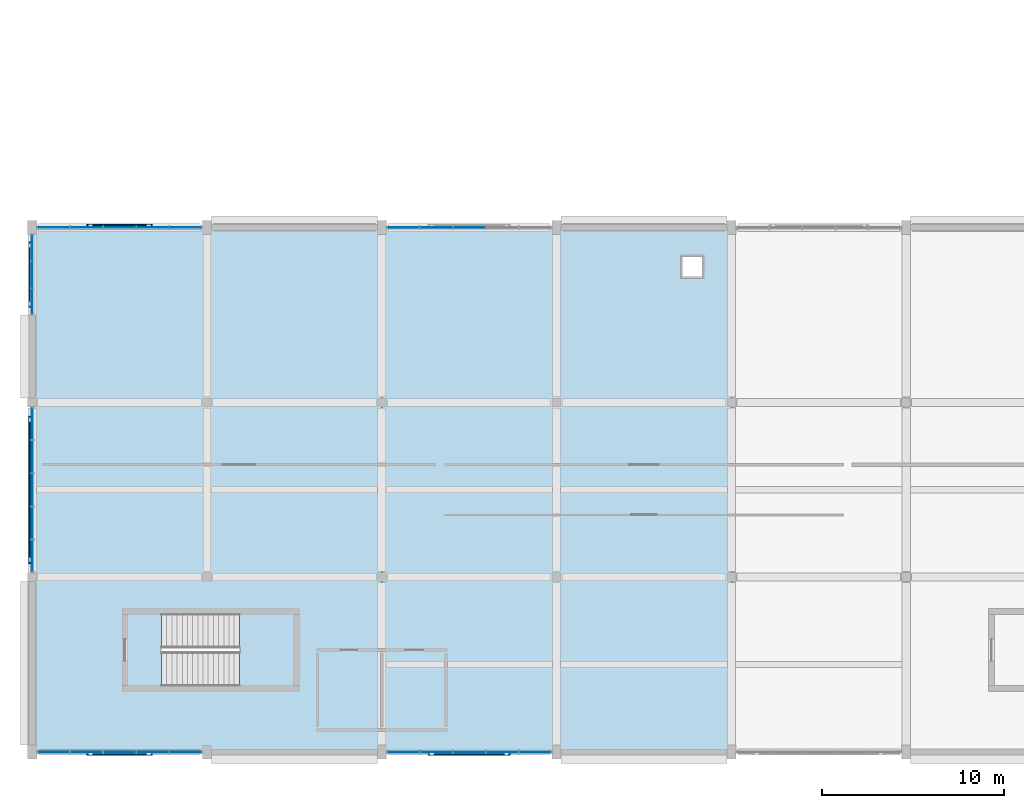
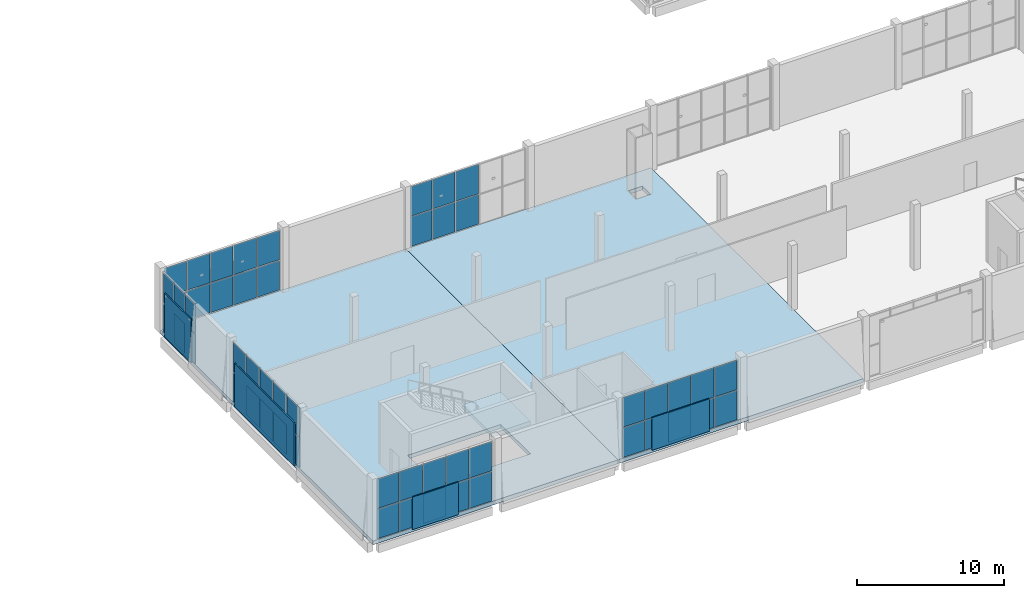
# One storey, part 42 of 83: 57 plates, 3 slabs, 7 elements without a shape of their own.
"""IFC4 building model written with IfcOpenShell, lengths in metres."""

from ifc_helpers import new_model, si_unit, direction, frame, origin, origin_2d, place, context, subcontext, project, spatial, polyline, rectangle, outline, extrude, material, layer, layer_set, type_object, element, aggregate, save


model = new_model("IFC4")

# Units and contexts
model_context = context("Model", 3, precision=1e-05, world=origin(), true_north=direction((0.0, 1.0)))
body_context = subcontext(model_context, "Body", "Model", "MODEL_VIEW")
ifc_project = project(units=[si_unit("LENGTHUNIT", "METRE"), si_unit("AREAUNIT", "SQUARE_METRE"), si_unit("VOLUMEUNIT", "CUBIC_METRE"), si_unit("PLANEANGLEUNIT", "RADIAN"), si_unit("MASSUNIT", "GRAM", prefix="KILO")], contexts=[model_context])

# Site, building, storey
site_placement = place(None, origin())
site = spatial("IfcSite", under=ifc_project, at=site_placement, CompositionType="ELEMENT")
building_placement = place(site_placement, origin())
building = spatial("IfcBuilding", under=site, at=building_placement, Name="Shalvenor Court Art Gallery", CompositionType="ELEMENT")
storey_placement = place(building_placement, frame((0.0, 0.0, 6.0)))
storey = spatial("IfcBuildingStorey", under=building, at=storey_placement, Name="L01", CompositionType="ELEMENT", Elevation=6.0)

# Curtain wall, plates
ifc_material_1 = material(Name="Anodised aluminium and low-iron glass curtain wall", Category="aluminium")
curtain_wall_type_1 = type_object("IfcCurtainWallType", Name="CW-5x2-91-51-141", PredefinedType="USERDEFINED", material=ifc_material_1)
curtain_wall_1_placement = place(storey_placement, origin())
curtain_wall_1 = element("IfcCurtainWall", 1, at=curtain_wall_1_placement, inside=storey, type_object=curtain_wall_type_1, Name="L01 V4 Curtain Wall CW-L01-128", ObjectType="CURTAIN WALL", PredefinedType="USERDEFINED")
ifc_material_2 = material(Name="Low-iron UV-laminated double glazing IGU", Category="glass")
ifc_layer_1 = layer(ifc_material_2, 0.028076171875, Name="Low-iron UV-laminated double glazing IGU")
ifc_layer_set_1 = layer_set([ifc_layer_1], Name="Low-iron UV-laminated double glazing IGU")
plate_type_1 = type_object("IfcPlateType", Name="CWP-01", PredefinedType="CURTAIN_PANEL", material=ifc_layer_set_1)
plate_1_placement = place(storey_placement, frame((1.17626953125, 28.800048828125, 0.070068359375), z_axis=(0.0, 0.0, 1.0), x_axis=(1.0, 0.0, 0.0)))
plate_1 = element("IfcPlate", 2, at=plate_1_placement, type_object=plate_type_1, Name="CW-5x2-91-51-141 panel 1.1", PredefinedType="CURTAIN_PANEL", context=body_context, shape_type="SweptSolid", body=[
    extrude(rectangle(XDim=1.722412109375, YDim=0.028076171875, at=origin_2d()), origin(), (0.0, 0.0, 1.0), 2.43505859375),
])
plate_2_placement = place(storey_placement, frame((1.17626953125, 28.800048828125, 2.574951171875), z_axis=(0.0, 0.0, 1.0), x_axis=(1.0, 0.0, 0.0)))
plate_2 = element("IfcPlate", 3, at=plate_2_placement, type_object=plate_type_1, Name="CW-5x2-91-51-141 panel 1.2", PredefinedType="CURTAIN_PANEL", context=body_context, shape_type="SweptSolid", body=[
    extrude(rectangle(XDim=1.722412109375, YDim=0.028076171875, at=origin_2d()), origin(), (0.0, 0.0, 1.0), 2.43505859375),
])
plate_3_placement = place(storey_placement, frame((2.97998046875, 28.800048828125, 0.070068359375), z_axis=(0.0, 0.0, 1.0), x_axis=(1.0, 0.0, 0.0)))
plate_3 = element("IfcPlate", 4, at=plate_3_placement, type_object=plate_type_1, Name="CW-5x2-91-51-141 panel 2.1", PredefinedType="CURTAIN_PANEL", context=body_context, shape_type="SweptSolid", body=[
    extrude(rectangle(XDim=1.7548828125, YDim=0.028076171875, at=origin_2d()), origin(), (0.0, 0.0, 1.0), 2.43505859375),
])
plate_4_placement = place(storey_placement, frame((2.97998046875, 28.800048828125, 2.574951171875), z_axis=(0.0, 0.0, 1.0), x_axis=(1.0, 0.0, 0.0)))
plate_4 = element("IfcPlate", 5, at=plate_4_placement, type_object=plate_type_1, Name="CW-5x2-91-51-141 panel 2.2", PredefinedType="CURTAIN_PANEL", context=body_context, shape_type="SweptSolid", body=[
    extrude(rectangle(XDim=1.7548828125, YDim=0.028076171875, at=origin_2d()), origin(), (0.0, 0.0, 1.0), 2.43505859375),
])
plate_5_placement = place(storey_placement, frame((4.800048828125, 28.800048828125, 0.070068359375), z_axis=(0.0, 0.0, 1.0), x_axis=(1.0, 0.0, 0.0)))
plate_5 = element("IfcPlate", 6, at=plate_5_placement, type_object=plate_type_1, Name="CW-5x2-91-51-141 panel 3.1", PredefinedType="CURTAIN_PANEL", context=body_context, shape_type="SweptSolid", body=[
    extrude(rectangle(XDim=1.7548828125, YDim=0.028076171875, at=origin_2d()), origin(), (0.0, 0.0, 1.0), 2.43505859375),
])
plate_6_placement = place(storey_placement, frame((4.800048828125, 28.800048828125, 2.574951171875), z_axis=(0.0, 0.0, 1.0), x_axis=(1.0, 0.0, 0.0)))
plate_6 = element("IfcPlate", 7, at=plate_6_placement, type_object=plate_type_1, Name="CW-5x2-91-51-141 panel 3.2", PredefinedType="CURTAIN_PANEL", context=body_context, shape_type="SweptSolid", body=[
    extrude(rectangle(XDim=1.7548828125, YDim=0.028076171875, at=origin_2d()), origin(), (0.0, 0.0, 1.0), 2.43505859375),
])
plate_7_placement = place(storey_placement, frame((6.6201171875, 28.800048828125, 0.070068359375), z_axis=(0.0, 0.0, 1.0), x_axis=(1.0, 0.0, 0.0)))
plate_7 = element("IfcPlate", 8, at=plate_7_placement, type_object=plate_type_1, Name="CW-5x2-91-51-141 panel 4.1", PredefinedType="CURTAIN_PANEL", context=body_context, shape_type="SweptSolid", body=[
    extrude(rectangle(XDim=1.7548828125, YDim=0.028076171875, at=origin_2d()), origin(), (0.0, 0.0, 1.0), 2.43505859375),
])
plate_8_placement = place(storey_placement, frame((6.6201171875, 28.800048828125, 2.574951171875), z_axis=(0.0, 0.0, 1.0), x_axis=(1.0, 0.0, 0.0)))
plate_8 = element("IfcPlate", 9, at=plate_8_placement, type_object=plate_type_1, Name="CW-5x2-91-51-141 panel 4.2", PredefinedType="CURTAIN_PANEL", context=body_context, shape_type="SweptSolid", body=[
    extrude(rectangle(XDim=1.7548828125, YDim=0.028076171875, at=origin_2d()), origin(), (0.0, 0.0, 1.0), 2.43505859375),
])
plate_9_placement = place(storey_placement, frame((8.423828125, 28.800048828125, 0.070068359375), z_axis=(0.0, 0.0, 1.0), x_axis=(1.0, 0.0, 0.0)))
plate_9 = element("IfcPlate", 10, at=plate_9_placement, type_object=plate_type_1, Name="CW-5x2-91-51-141 panel 5.1", PredefinedType="CURTAIN_PANEL", context=body_context, shape_type="SweptSolid", body=[
    extrude(rectangle(XDim=1.722412109375, YDim=0.028076171875, at=origin_2d()), origin(), (0.0, 0.0, 1.0), 2.43505859375),
])
plate_10_placement = place(storey_placement, frame((8.423828125, 28.800048828125, 2.574951171875), z_axis=(0.0, 0.0, 1.0), x_axis=(1.0, 0.0, 0.0)))
plate_10 = element("IfcPlate", 11, at=plate_10_placement, type_object=plate_type_1, Name="CW-5x2-91-51-141 panel 5.2", PredefinedType="CURTAIN_PANEL", context=body_context, shape_type="SweptSolid", body=[
    extrude(rectangle(XDim=1.722412109375, YDim=0.028076171875, at=origin_2d()), origin(), (0.0, 0.0, 1.0), 2.43505859375),
])
aggregate(curtain_wall_1, [plate_1, plate_2, plate_3, plate_4, plate_5, plate_6, plate_7, plate_8, plate_9, plate_10])

ifc_material_3 = material(Name="Anodised aluminium and low-iron glass curtain wall", Category="aluminium")
curtain_wall_type_2 = type_object("IfcCurtainWallType", Name="CW-5x2-91-51-211", PredefinedType="USERDEFINED", material=ifc_material_3)
curtain_wall_2_placement = place(storey_placement, origin())
curtain_wall_2 = element("IfcCurtainWall", 12, at=curtain_wall_2_placement, inside=storey, type_object=curtain_wall_type_2, Name="L01 V4 Curtain Wall CW-L01-129", ObjectType="CURTAIN WALL", PredefinedType="USERDEFINED")
plate_11_placement = place(storey_placement, frame((20.37744140625, 28.800048828125, 0.06005859375), z_axis=(0.0, 0.0, 1.0), x_axis=(1.0, 0.0, 0.0)))
plate_11 = element("IfcPlate", 13, at=plate_11_placement, type_object=plate_type_1, Name="CW-5x2-91-51-211 panel 1.1", PredefinedType="CURTAIN_PANEL", context=body_context, shape_type="SweptSolid", body=[
    extrude(rectangle(XDim=1.715087890625, YDim=0.028076171875, at=origin_2d()), origin(), (0.0, 0.0, 1.0), 2.449951171875),
])
plate_12_placement = place(storey_placement, frame((20.37744140625, 28.800048828125, 2.56982421875), z_axis=(0.0, 0.0, 1.0), x_axis=(1.0, 0.0, 0.0)))
plate_12 = element("IfcPlate", 14, at=plate_12_placement, type_object=plate_type_1, Name="CW-5x2-91-51-211 panel 1.2", PredefinedType="CURTAIN_PANEL", context=body_context, shape_type="SweptSolid", body=[
    extrude(rectangle(XDim=1.715087890625, YDim=0.028076171875, at=origin_2d()), origin(), (0.0, 0.0, 1.0), 2.449951171875),
])
plate_13_placement = place(storey_placement, frame((22.179931640625, 28.800048828125, 0.06005859375), z_axis=(0.0, 0.0, 1.0), x_axis=(1.0, 0.0, 0.0)))
plate_13 = element("IfcPlate", 15, at=plate_13_placement, type_object=plate_type_1, Name="CW-5x2-91-51-211 panel 2.1", PredefinedType="CURTAIN_PANEL", context=body_context, shape_type="SweptSolid", body=[
    extrude(rectangle(XDim=1.75, YDim=0.028076171875, at=origin_2d()), origin(), (0.0, 0.0, 1.0), 2.449951171875),
])
plate_14_placement = place(storey_placement, frame((22.179931640625, 28.800048828125, 2.56982421875), z_axis=(0.0, 0.0, 1.0), x_axis=(1.0, 0.0, 0.0)))
plate_14 = element("IfcPlate", 16, at=plate_14_placement, type_object=plate_type_1, Name="CW-5x2-91-51-211 panel 2.2", PredefinedType="CURTAIN_PANEL", context=body_context, shape_type="SweptSolid", body=[
    extrude(rectangle(XDim=1.75, YDim=0.028076171875, at=origin_2d()), origin(), (0.0, 0.0, 1.0), 2.449951171875),
])
plate_15_placement = place(storey_placement, frame((24.0, 28.800048828125, 0.06005859375), z_axis=(0.0, 0.0, 1.0), x_axis=(1.0, 0.0, 0.0)))
plate_15 = element("IfcPlate", 17, at=plate_15_placement, type_object=plate_type_1, Name="CW-5x2-91-51-211 panel 3.1", PredefinedType="CURTAIN_PANEL", context=body_context, shape_type="SweptSolid", body=[
    extrude(rectangle(XDim=1.75, YDim=0.028076171875, at=origin_2d()), origin(), (0.0, 0.0, 1.0), 2.449951171875),
])
plate_16_placement = place(storey_placement, frame((24.0, 28.800048828125, 2.56982421875), z_axis=(0.0, 0.0, 1.0), x_axis=(1.0, 0.0, 0.0)))
plate_16 = element("IfcPlate", 18, at=plate_16_placement, type_object=plate_type_1, Name="CW-5x2-91-51-211 panel 3.2", PredefinedType="CURTAIN_PANEL", context=body_context, shape_type="SweptSolid", body=[
    extrude(rectangle(XDim=1.75, YDim=0.028076171875, at=origin_2d()), origin(), (0.0, 0.0, 1.0), 2.449951171875),
])
aggregate(curtain_wall_2, [plate_11, plate_12, plate_13, plate_14, plate_15, plate_16])

ifc_material_4 = material(Name="Anodised aluminium and low-iron glass curtain wall", Category="aluminium")
curtain_wall_type_3 = type_object("IfcCurtainWallType", Name="CW-5x2-91-51-121", PredefinedType="USERDEFINED", material=ifc_material_4)
curtain_wall_3_placement = place(storey_placement, origin())
curtain_wall_3 = element("IfcCurtainWall", 19, at=curtain_wall_3_placement, inside=storey, type_object=curtain_wall_type_3, Name="L01 V4 Curtain Wall CW-L01-136", ObjectType="CURTAIN WALL", PredefinedType="USERDEFINED")
plate_17_placement = place(storey_placement, frame((27.623779296875, 0.0, 0.06494140625), z_axis=(0.0, 0.0, 1.0), x_axis=(-1.0, 0.0, 0.0)))
plate_17 = element("IfcPlate", 20, at=plate_17_placement, type_object=plate_type_1, Name="CW-5x2-91-51-121 panel 1.1", PredefinedType="CURTAIN_PANEL", context=body_context, shape_type="SweptSolid", body=[
    extrude(rectangle(XDim=1.722412109375, YDim=0.028076171875, at=origin_2d()), origin(), (0.0, 0.0, 1.0), 2.4423828125),
])
plate_18_placement = place(storey_placement, frame((27.623779296875, 0.0, 2.572509765625), z_axis=(0.0, 0.0, 1.0), x_axis=(-1.0, 0.0, 0.0)))
plate_18 = element("IfcPlate", 21, at=plate_18_placement, type_object=plate_type_1, Name="CW-5x2-91-51-121 panel 1.2", PredefinedType="CURTAIN_PANEL", context=body_context, shape_type="SweptSolid", body=[
    extrude(rectangle(XDim=1.722412109375, YDim=0.028076171875, at=origin_2d()), origin(), (0.0, 0.0, 1.0), 2.4423828125),
])
plate_19_placement = place(storey_placement, frame((25.820068359375, 0.0, 0.06494140625), z_axis=(0.0, 0.0, 1.0), x_axis=(-1.0, 0.0, 0.0)))
plate_19 = element("IfcPlate", 22, at=plate_19_placement, type_object=plate_type_1, Name="CW-5x2-91-51-121 panel 2.1", PredefinedType="CURTAIN_PANEL", context=body_context, shape_type="SweptSolid", body=[
    extrude(rectangle(XDim=1.7548828125, YDim=0.028076171875, at=origin_2d()), origin(), (0.0, 0.0, 1.0), 2.4423828125),
])
plate_20_placement = place(storey_placement, frame((25.820068359375, 0.0, 2.572509765625), z_axis=(0.0, 0.0, 1.0), x_axis=(-1.0, 0.0, 0.0)))
plate_20 = element("IfcPlate", 23, at=plate_20_placement, type_object=plate_type_1, Name="CW-5x2-91-51-121 panel 2.2", PredefinedType="CURTAIN_PANEL", context=body_context, shape_type="SweptSolid", body=[
    extrude(rectangle(XDim=1.7548828125, YDim=0.028076171875, at=origin_2d()), origin(), (0.0, 0.0, 1.0), 2.4423828125),
])
plate_21_placement = place(storey_placement, frame((24.0, 0.0, 0.06494140625), z_axis=(0.0, 0.0, 1.0), x_axis=(-1.0, 0.0, 0.0)))
plate_21 = element("IfcPlate", 24, at=plate_21_placement, type_object=plate_type_1, Name="CW-5x2-91-51-121 panel 3.1", PredefinedType="CURTAIN_PANEL", context=body_context, shape_type="SweptSolid", body=[
    extrude(rectangle(XDim=1.7548828125, YDim=0.028076171875, at=origin_2d()), origin(), (0.0, 0.0, 1.0), 2.4423828125),
])
plate_22_placement = place(storey_placement, frame((24.0, 0.0, 2.572509765625), z_axis=(0.0, 0.0, 1.0), x_axis=(-1.0, 0.0, 0.0)))
plate_22 = element("IfcPlate", 25, at=plate_22_placement, type_object=plate_type_1, Name="CW-5x2-91-51-121 panel 3.2", PredefinedType="CURTAIN_PANEL", context=body_context, shape_type="SweptSolid", body=[
    extrude(rectangle(XDim=1.7548828125, YDim=0.028076171875, at=origin_2d()), origin(), (0.0, 0.0, 1.0), 2.4423828125),
])
plate_23_placement = place(storey_placement, frame((22.179931640625, 0.0, 0.06494140625), z_axis=(0.0, 0.0, 1.0), x_axis=(-1.0, 0.0, 0.0)))
plate_23 = element("IfcPlate", 26, at=plate_23_placement, type_object=plate_type_1, Name="CW-5x2-91-51-121 panel 4.1", PredefinedType="CURTAIN_PANEL", context=body_context, shape_type="SweptSolid", body=[
    extrude(rectangle(XDim=1.7548828125, YDim=0.028076171875, at=origin_2d()), origin(), (0.0, 0.0, 1.0), 2.4423828125),
])
plate_24_placement = place(storey_placement, frame((22.179931640625, 0.0, 2.572509765625), z_axis=(0.0, 0.0, 1.0), x_axis=(-1.0, 0.0, 0.0)))
plate_24 = element("IfcPlate", 27, at=plate_24_placement, type_object=plate_type_1, Name="CW-5x2-91-51-121 panel 4.2", PredefinedType="CURTAIN_PANEL", context=body_context, shape_type="SweptSolid", body=[
    extrude(rectangle(XDim=1.7548828125, YDim=0.028076171875, at=origin_2d()), origin(), (0.0, 0.0, 1.0), 2.4423828125),
])
plate_25_placement = place(storey_placement, frame((20.376220703125, 0.0, 0.06494140625), z_axis=(0.0, 0.0, 1.0), x_axis=(-1.0, 0.0, 0.0)))
plate_25 = element("IfcPlate", 28, at=plate_25_placement, type_object=plate_type_1, Name="CW-5x2-91-51-121 panel 5.1", PredefinedType="CURTAIN_PANEL", context=body_context, shape_type="SweptSolid", body=[
    extrude(rectangle(XDim=1.722412109375, YDim=0.028076171875, at=origin_2d()), origin(), (0.0, 0.0, 1.0), 2.4423828125),
])
plate_26_placement = place(storey_placement, frame((20.376220703125, 0.0, 2.572509765625), z_axis=(0.0, 0.0, 1.0), x_axis=(-1.0, 0.0, 0.0)))
plate_26 = element("IfcPlate", 29, at=plate_26_placement, type_object=plate_type_1, Name="CW-5x2-91-51-121 panel 5.2", PredefinedType="CURTAIN_PANEL", context=body_context, shape_type="SweptSolid", body=[
    extrude(rectangle(XDim=1.722412109375, YDim=0.028076171875, at=origin_2d()), origin(), (0.0, 0.0, 1.0), 2.4423828125),
])
aggregate(curtain_wall_3, [plate_17, plate_18, plate_19, plate_20, plate_21, plate_22, plate_23, plate_24, plate_25, plate_26])

ifc_material_5 = material(Name="Anodised aluminium and low-iron glass curtain wall", Category="aluminium")
curtain_wall_type_4 = type_object("IfcCurtainWallType", Name="CW-5x2-91-51-241", PredefinedType="USERDEFINED", material=ifc_material_5)
curtain_wall_4_placement = place(storey_placement, origin())
curtain_wall_4 = element("IfcCurtainWall", 30, at=curtain_wall_4_placement, inside=storey, type_object=curtain_wall_type_4, Name="L01 V4 Curtain Wall CW-L01-137", ObjectType="CURTAIN WALL", PredefinedType="USERDEFINED")
plate_27_placement = place(storey_placement, frame((8.422607421875, 0.0, 0.070068359375), z_axis=(0.0, 0.0, 1.0), x_axis=(-1.0, 0.0, 0.0)))
plate_27 = element("IfcPlate", 31, at=plate_27_placement, type_object=plate_type_1, Name="CW-5x2-91-51-241 panel 1.1", PredefinedType="CURTAIN_PANEL", context=body_context, shape_type="SweptSolid", body=[
    extrude(rectangle(XDim=1.715087890625, YDim=0.028076171875, at=origin_2d()), origin(), (0.0, 0.0, 1.0), 2.43505859375),
])
plate_28_placement = place(storey_placement, frame((8.422607421875, 0.0, 2.574951171875), z_axis=(0.0, 0.0, 1.0), x_axis=(-1.0, 0.0, 0.0)))
plate_28 = element("IfcPlate", 32, at=plate_28_placement, type_object=plate_type_1, Name="CW-5x2-91-51-241 panel 1.2", PredefinedType="CURTAIN_PANEL", context=body_context, shape_type="SweptSolid", body=[
    extrude(rectangle(XDim=1.715087890625, YDim=0.028076171875, at=origin_2d()), origin(), (0.0, 0.0, 1.0), 2.43505859375),
])
plate_29_placement = place(storey_placement, frame((6.6201171875, 0.0, 0.070068359375), z_axis=(0.0, 0.0, 1.0), x_axis=(-1.0, 0.0, 0.0)))
plate_29 = element("IfcPlate", 33, at=plate_29_placement, type_object=plate_type_1, Name="CW-5x2-91-51-241 panel 2.1", PredefinedType="CURTAIN_PANEL", context=body_context, shape_type="SweptSolid", body=[
    extrude(rectangle(XDim=1.75, YDim=0.028076171875, at=origin_2d()), origin(), (0.0, 0.0, 1.0), 2.43505859375),
])
plate_30_placement = place(storey_placement, frame((6.6201171875, 0.0, 2.574951171875), z_axis=(0.0, 0.0, 1.0), x_axis=(-1.0, 0.0, 0.0)))
plate_30 = element("IfcPlate", 34, at=plate_30_placement, type_object=plate_type_1, Name="CW-5x2-91-51-241 panel 2.2", PredefinedType="CURTAIN_PANEL", context=body_context, shape_type="SweptSolid", body=[
    extrude(rectangle(XDim=1.75, YDim=0.028076171875, at=origin_2d()), origin(), (0.0, 0.0, 1.0), 2.43505859375),
])
plate_31_placement = place(storey_placement, frame((4.800048828125, 0.0, 0.070068359375), z_axis=(0.0, 0.0, 1.0), x_axis=(-1.0, 0.0, 0.0)))
plate_31 = element("IfcPlate", 35, at=plate_31_placement, type_object=plate_type_1, Name="CW-5x2-91-51-241 panel 3.1", PredefinedType="CURTAIN_PANEL", context=body_context, shape_type="SweptSolid", body=[
    extrude(rectangle(XDim=1.75, YDim=0.028076171875, at=origin_2d()), origin(), (0.0, 0.0, 1.0), 2.43505859375),
])
plate_32_placement = place(storey_placement, frame((4.800048828125, 0.0, 2.574951171875), z_axis=(0.0, 0.0, 1.0), x_axis=(-1.0, 0.0, 0.0)))
plate_32 = element("IfcPlate", 36, at=plate_32_placement, type_object=plate_type_1, Name="CW-5x2-91-51-241 panel 3.2", PredefinedType="CURTAIN_PANEL", context=body_context, shape_type="SweptSolid", body=[
    extrude(rectangle(XDim=1.75, YDim=0.028076171875, at=origin_2d()), origin(), (0.0, 0.0, 1.0), 2.43505859375),
])
plate_33_placement = place(storey_placement, frame((2.97998046875, 0.0, 0.070068359375), z_axis=(0.0, 0.0, 1.0), x_axis=(-1.0, 0.0, 0.0)))
plate_33 = element("IfcPlate", 37, at=plate_33_placement, type_object=plate_type_1, Name="CW-5x2-91-51-241 panel 4.1", PredefinedType="CURTAIN_PANEL", context=body_context, shape_type="SweptSolid", body=[
    extrude(rectangle(XDim=1.75, YDim=0.028076171875, at=origin_2d()), origin(), (0.0, 0.0, 1.0), 2.43505859375),
])
plate_34_placement = place(storey_placement, frame((2.97998046875, 0.0, 2.574951171875), z_axis=(0.0, 0.0, 1.0), x_axis=(-1.0, 0.0, 0.0)))
plate_34 = element("IfcPlate", 38, at=plate_34_placement, type_object=plate_type_1, Name="CW-5x2-91-51-241 panel 4.2", PredefinedType="CURTAIN_PANEL", context=body_context, shape_type="SweptSolid", body=[
    extrude(rectangle(XDim=1.75, YDim=0.028076171875, at=origin_2d()), origin(), (0.0, 0.0, 1.0), 2.43505859375),
])
plate_35_placement = place(storey_placement, frame((1.177490234375, 0.0, 0.070068359375), z_axis=(0.0, 0.0, 1.0), x_axis=(-1.0, 0.0, 0.0)))
plate_35 = element("IfcPlate", 39, at=plate_35_placement, type_object=plate_type_1, Name="CW-5x2-91-51-241 panel 5.1", PredefinedType="CURTAIN_PANEL", context=body_context, shape_type="SweptSolid", body=[
    extrude(rectangle(XDim=1.715087890625, YDim=0.028076171875, at=origin_2d()), origin(), (0.0, 0.0, 1.0), 2.43505859375),
])
plate_36_placement = place(storey_placement, frame((1.177490234375, 0.0, 2.574951171875), z_axis=(0.0, 0.0, 1.0), x_axis=(-1.0, 0.0, 0.0)))
plate_36 = element("IfcPlate", 40, at=plate_36_placement, type_object=plate_type_1, Name="CW-5x2-91-51-241 panel 5.2", PredefinedType="CURTAIN_PANEL", context=body_context, shape_type="SweptSolid", body=[
    extrude(rectangle(XDim=1.715087890625, YDim=0.028076171875, at=origin_2d()), origin(), (0.0, 0.0, 1.0), 2.43505859375),
])
aggregate(curtain_wall_4, [plate_27, plate_28, plate_29, plate_30, plate_31, plate_32, plate_33, plate_34, plate_35, plate_36])

ifc_material_6 = material(Name="Anodised aluminium and low-iron glass curtain wall", Category="aluminium")
curtain_wall_type_5 = type_object("IfcCurtainWallType", Name="CW-5x2-91-51-411", PredefinedType="USERDEFINED", material=ifc_material_6)
curtain_wall_5_placement = place(storey_placement, origin())
curtain_wall_5 = element("IfcCurtainWall", 41, at=curtain_wall_5_placement, inside=storey, type_object=curtain_wall_type_5, Name="L01 V4 Curtain Wall CW-L01-138", ObjectType="CURTAIN WALL", PredefinedType="USERDEFINED")
plate_37_placement = place(storey_placement, frame((0.0, 10.77880859375, 0.06005859375), z_axis=(0.0, 0.0, 1.0), x_axis=(0.0, 1.0, 0.0)))
plate_37 = element("IfcPlate", 42, at=plate_37_placement, type_object=plate_type_1, Name="CW-5x2-91-51-411 panel 1.1", PredefinedType="CURTAIN_PANEL", context=body_context, shape_type="SweptSolid", body=[
    extrude(rectangle(XDim=1.70751953125, YDim=0.028076171875, at=origin_2d()), origin(), (0.0, 0.0, 1.0), 2.449951171875),
])
plate_38_placement = place(storey_placement, frame((0.0, 10.77880859375, 2.56982421875), z_axis=(0.0, 0.0, 1.0), x_axis=(0.0, 1.0, 0.0)))
plate_38 = element("IfcPlate", 43, at=plate_38_placement, type_object=plate_type_1, Name="CW-5x2-91-51-411 panel 1.2", PredefinedType="CURTAIN_PANEL", context=body_context, shape_type="SweptSolid", body=[
    extrude(rectangle(XDim=1.70751953125, YDim=0.028076171875, at=origin_2d()), origin(), (0.0, 0.0, 1.0), 2.449951171875),
])
plate_39_placement = place(storey_placement, frame((0.0, 12.580078125, 0.06005859375), z_axis=(0.0, 0.0, 1.0), x_axis=(0.0, 1.0, 0.0)))
plate_39 = element("IfcPlate", 44, at=plate_39_placement, type_object=plate_type_1, Name="CW-5x2-91-51-411 panel 2.1", PredefinedType="CURTAIN_PANEL", context=body_context, shape_type="SweptSolid", body=[
    extrude(rectangle(XDim=1.7451171875, YDim=0.028076171875, at=origin_2d()), origin(), (0.0, 0.0, 1.0), 2.449951171875),
])
plate_40_placement = place(storey_placement, frame((0.0, 12.580078125, 2.56982421875), z_axis=(0.0, 0.0, 1.0), x_axis=(0.0, 1.0, 0.0)))
plate_40 = element("IfcPlate", 45, at=plate_40_placement, type_object=plate_type_1, Name="CW-5x2-91-51-411 panel 2.2", PredefinedType="CURTAIN_PANEL", context=body_context, shape_type="SweptSolid", body=[
    extrude(rectangle(XDim=1.7451171875, YDim=0.028076171875, at=origin_2d()), origin(), (0.0, 0.0, 1.0), 2.449951171875),
])
plate_41_placement = place(storey_placement, frame((0.0, 14.39990234375, 0.06005859375), z_axis=(0.0, 0.0, 1.0), x_axis=(0.0, 1.0, 0.0)))
plate_41 = element("IfcPlate", 46, at=plate_41_placement, type_object=plate_type_1, Name="CW-5x2-91-51-411 panel 3.1", PredefinedType="CURTAIN_PANEL", context=body_context, shape_type="SweptSolid", body=[
    extrude(rectangle(XDim=1.7451171875, YDim=0.028076171875, at=origin_2d()), origin(), (0.0, 0.0, 1.0), 2.449951171875),
])
plate_42_placement = place(storey_placement, frame((0.0, 14.39990234375, 2.56982421875), z_axis=(0.0, 0.0, 1.0), x_axis=(0.0, 1.0, 0.0)))
plate_42 = element("IfcPlate", 47, at=plate_42_placement, type_object=plate_type_1, Name="CW-5x2-91-51-411 panel 3.2", PredefinedType="CURTAIN_PANEL", context=body_context, shape_type="SweptSolid", body=[
    extrude(rectangle(XDim=1.7451171875, YDim=0.028076171875, at=origin_2d()), origin(), (0.0, 0.0, 1.0), 2.449951171875),
])
plate_43_placement = place(storey_placement, frame((0.0, 16.219970703125, 0.06005859375), z_axis=(0.0, 0.0, 1.0), x_axis=(0.0, 1.0, 0.0)))
plate_43 = element("IfcPlate", 48, at=plate_43_placement, type_object=plate_type_1, Name="CW-5x2-91-51-411 panel 4.1", PredefinedType="CURTAIN_PANEL", context=body_context, shape_type="SweptSolid", body=[
    extrude(rectangle(XDim=1.7451171875, YDim=0.028076171875, at=origin_2d()), origin(), (0.0, 0.0, 1.0), 2.449951171875),
])
plate_44_placement = place(storey_placement, frame((0.0, 16.219970703125, 2.56982421875), z_axis=(0.0, 0.0, 1.0), x_axis=(0.0, 1.0, 0.0)))
plate_44 = element("IfcPlate", 49, at=plate_44_placement, type_object=plate_type_1, Name="CW-5x2-91-51-411 panel 4.2", PredefinedType="CURTAIN_PANEL", context=body_context, shape_type="SweptSolid", body=[
    extrude(rectangle(XDim=1.7451171875, YDim=0.028076171875, at=origin_2d()), origin(), (0.0, 0.0, 1.0), 2.449951171875),
])
plate_45_placement = place(storey_placement, frame((0.0, 18.021240234375, 0.06005859375), z_axis=(0.0, 0.0, 1.0), x_axis=(0.0, 1.0, 0.0)))
plate_45 = element("IfcPlate", 50, at=plate_45_placement, type_object=plate_type_1, Name="CW-5x2-91-51-411 panel 5.1", PredefinedType="CURTAIN_PANEL", context=body_context, shape_type="SweptSolid", body=[
    extrude(rectangle(XDim=1.70751953125, YDim=0.028076171875, at=origin_2d()), origin(), (0.0, 0.0, 1.0), 2.449951171875),
])
plate_46_placement = place(storey_placement, frame((0.0, 18.021240234375, 2.56982421875), z_axis=(0.0, 0.0, 1.0), x_axis=(0.0, 1.0, 0.0)))
plate_46 = element("IfcPlate", 51, at=plate_46_placement, type_object=plate_type_1, Name="CW-5x2-91-51-411 panel 5.2", PredefinedType="CURTAIN_PANEL", context=body_context, shape_type="SweptSolid", body=[
    extrude(rectangle(XDim=1.70751953125, YDim=0.028076171875, at=origin_2d()), origin(), (0.0, 0.0, 1.0), 2.449951171875),
])
aggregate(curtain_wall_5, [plate_37, plate_38, plate_39, plate_40, plate_41, plate_42, plate_43, plate_44, plate_45, plate_46])

ifc_material_7 = material(Name="Anodised aluminium and low-iron glass curtain wall", Category="aluminium")
curtain_wall_type_6 = type_object("IfcCurtainWallType", Name="CW-3x2-44-51-621", PredefinedType="USERDEFINED", material=ifc_material_7)
curtain_wall_6_placement = place(storey_placement, origin())
curtain_wall_6 = element("IfcCurtainWall", 52, at=curtain_wall_6_placement, inside=storey, type_object=curtain_wall_type_6, Name="L01 V4 Curtain Wall CW-L01-139", ObjectType="CURTAIN WALL", PredefinedType="USERDEFINED")
plate_47_placement = place(storey_placement, frame((0.0, 24.751220703125, 0.06494140625), z_axis=(0.0, 0.0, 1.0), x_axis=(0.0, 1.0, 0.0)))
plate_47 = element("IfcPlate", 53, at=plate_47_placement, type_object=plate_type_1, Name="CW-3x2-44-51-621 panel 1.1", PredefinedType="CURTAIN_PANEL", context=body_context, shape_type="SweptSolid", body=[
    extrude(rectangle(XDim=1.392578125, YDim=0.028076171875, at=origin_2d()), origin(), (0.0, 0.0, 1.0), 2.4423828125),
])
plate_48_placement = place(storey_placement, frame((0.0, 24.751220703125, 2.572509765625), z_axis=(0.0, 0.0, 1.0), x_axis=(0.0, 1.0, 0.0)))
plate_48 = element("IfcPlate", 54, at=plate_48_placement, type_object=plate_type_1, Name="CW-3x2-44-51-621 panel 1.2", PredefinedType="CURTAIN_PANEL", context=body_context, shape_type="SweptSolid", body=[
    extrude(rectangle(XDim=1.392578125, YDim=0.028076171875, at=origin_2d()), origin(), (0.0, 0.0, 1.0), 2.4423828125),
])
plate_49_placement = place(storey_placement, frame((0.0, 26.21240234375, 0.06494140625), z_axis=(0.0, 0.0, 1.0), x_axis=(0.0, 1.0, 0.0)))
plate_49 = element("IfcPlate", 55, at=plate_49_placement, type_object=plate_type_1, Name="CW-3x2-44-51-621 panel 2.1", PredefinedType="CURTAIN_PANEL", context=body_context, shape_type="SweptSolid", body=[
    extrude(rectangle(XDim=1.419921875, YDim=0.028076171875, at=origin_2d()), origin(), (0.0, 0.0, 1.0), 2.4423828125),
])
plate_50_placement = place(storey_placement, frame((0.0, 26.21240234375, 2.572509765625), z_axis=(0.0, 0.0, 1.0), x_axis=(0.0, 1.0, 0.0)))
plate_50 = element("IfcPlate", 56, at=plate_50_placement, type_object=plate_type_1, Name="CW-3x2-44-51-621 panel 2.2", PredefinedType="CURTAIN_PANEL", context=body_context, shape_type="SweptSolid", body=[
    extrude(rectangle(XDim=1.419921875, YDim=0.028076171875, at=origin_2d()), origin(), (0.0, 0.0, 1.0), 2.4423828125),
])
plate_51_placement = place(storey_placement, frame((0.0, 27.673828125, 0.06494140625), z_axis=(0.0, 0.0, 1.0), x_axis=(0.0, 1.0, 0.0)))
plate_51 = element("IfcPlate", 57, at=plate_51_placement, type_object=plate_type_1, Name="CW-3x2-44-51-621 panel 3.1", PredefinedType="CURTAIN_PANEL", context=body_context, shape_type="SweptSolid", body=[
    extrude(rectangle(XDim=1.392578125, YDim=0.028076171875, at=origin_2d()), origin(), (0.0, 0.0, 1.0), 2.4423828125),
])
plate_52_placement = place(storey_placement, frame((0.0, 27.673828125, 2.572509765625), z_axis=(0.0, 0.0, 1.0), x_axis=(0.0, 1.0, 0.0)))
plate_52 = element("IfcPlate", 58, at=plate_52_placement, type_object=plate_type_1, Name="CW-3x2-44-51-621 panel 3.2", PredefinedType="CURTAIN_PANEL", context=body_context, shape_type="SweptSolid", body=[
    extrude(rectangle(XDim=1.392578125, YDim=0.028076171875, at=origin_2d()), origin(), (0.0, 0.0, 1.0), 2.4423828125),
])
aggregate(curtain_wall_6, [plate_47, plate_48, plate_49, plate_50, plate_51, plate_52])

# Slabs
ifc_material_8 = material(Name="Concrete C40/50", Category="concrete")
ifc_layer_2 = layer(ifc_material_8, 0.320068359375, Name="Concrete C40/50")
ifc_layer_set_2 = layer_set([ifc_layer_2], Name="Concrete C40/50")
slab_type_1 = type_object("IfcSlabType", Name="FS-320", PredefinedType="FLOOR", material=ifc_layer_set_2)
slab_1_placement = place(storey_placement, frame((0.0, 0.0, -0.320068359375)))
element("IfcSlab", 59, at=slab_1_placement, inside=storey, type_object=slab_type_1, Name="L01 V4 Floor Slab 1", PredefinedType="FLOOR", context=body_context, shape_type="SweptSolid", body=[
    extrude(outline(polyline([(19.199951171875, 28.800048828125), (19.199951171875, 0.0), (0.0, 0.0), (0.0, 28.800048828125), (19.199951171875, 28.800048828125)]), holes=[polyline([(7.111083984375, 3.60009765625), (14.39990234375, 3.60009765625), (14.39990234375, 7.60009765625), (7.111083984375, 7.60009765625), (7.111083984375, 3.60009765625)])]), origin(), (0.0, 0.0, 1.0), 0.320068359375),
])
slab_2_placement = place(storey_placement, frame((0.0, 0.0, -0.320068359375)))
element("IfcSlab", 60, at=slab_2_placement, inside=storey, type_object=slab_type_1, Name="L01 V4 Floor Slab 2", PredefinedType="FLOOR", context=body_context, shape_type="SweptSolid", body=[
    extrude(outline(polyline([(38.39990234375, 28.800048828125), (38.39990234375, 0.0), (19.199951171875, 0.0), (19.199951171875, 28.800048828125), (38.39990234375, 28.800048828125)]), holes=[polyline([(35.699951171875, 26.10009765625), (36.800048828125, 26.10009765625), (36.800048828125, 27.199951171875), (35.699951171875, 27.199951171875), (35.699951171875, 26.10009765625)])]), origin(), (0.0, 0.0, 1.0), 0.320068359375),
])

# Plates
ifc_material_9 = material(Name="Perforated pale limestone GRC lattice", Category="masonry")
ifc_layer_3 = layer(ifc_material_9, 0.090087890625, Name="Perforated pale limestone GRC lattice")
ifc_layer_set_3 = layer_set([ifc_layer_3], Name="Perforated pale limestone GRC lattice")
plate_type_2 = type_object("IfcPlateType", Name="SCR-01", PredefinedType="USERDEFINED", material=ifc_layer_set_3)
for number, where, z_axis, x_axis, name in (
    (61, (4.800048828125, 28.93310546875, 0.0), (0.0, 0.0, 1.0), (1.0, 0.0, 0.0), "L01 V4 Perforated Stone Lattice Screen PLT-SCR-0113"),
    (62, (-0.113037109375, 26.21240234375, 0.0), (0.0, 0.0, 1.0), (0.0, 1.0, 0.0), "L01 V4 Perforated Stone Lattice Screen PLT-SCR-0124"),
):
    element("IfcPlate", number, at=place(storey_placement, frame(where, z_axis=z_axis, x_axis=x_axis)), inside=storey, type_object=plate_type_2, Name=name, ObjectType="SCREEN", PredefinedType="USERDEFINED", context=body_context, shape_type="SweptSolid", body=[
        extrude(rectangle(XDim=3.60009765625, YDim=0.090087890625, at=origin_2d()), origin(), (0.0, 0.0, 1.0), 3.60009765625),
    ])
ifc_material_10 = material(Name="Perforated pale limestone GRC lattice", Category="masonry")
ifc_layer_4 = layer(ifc_material_10, 0.090087890625, Name="Perforated pale limestone GRC lattice")
ifc_layer_set_4 = layer_set([ifc_layer_4], Name="Perforated pale limestone GRC lattice")
plate_type_3 = type_object("IfcPlateType", Name="SCR-09", PredefinedType="USERDEFINED", material=ifc_layer_set_4)
plate_53_placement = place(storey_placement, frame((24.0, -0.133056640625, 0.0), z_axis=(0.0, 0.0, 1.0), x_axis=(-1.0, 0.0, 0.0)))
element("IfcPlate", 63, at=plate_53_placement, inside=storey, type_object=plate_type_3, Name="L01 V4 Perforated Stone Lattice Screen PLT-SCR-0121", ObjectType="SCREEN", PredefinedType="USERDEFINED", context=body_context, shape_type="SweptSolid", body=[
    extrude(rectangle(XDim=4.5, YDim=0.090087890625, at=origin_2d()), origin(), (0.0, 0.0, 1.0), 2.699951171875),
])
ifc_material_11 = material(Name="Perforated pale limestone GRC lattice", Category="masonry")
ifc_layer_5 = layer(ifc_material_11, 0.090087890625, Name="Perforated pale limestone GRC lattice")
ifc_layer_set_5 = layer_set([ifc_layer_5], Name="Perforated pale limestone GRC lattice")
plate_type_4 = type_object("IfcPlateType", Name="SCR-10", PredefinedType="USERDEFINED", material=ifc_layer_set_5)
plate_54_placement = place(storey_placement, frame((4.800048828125, -0.14306640625, 0.0), z_axis=(0.0, 0.0, 1.0), x_axis=(-1.0, 0.0, 0.0)))
element("IfcPlate", 64, at=plate_54_placement, inside=storey, type_object=plate_type_4, Name="L01 V4 Perforated Stone Lattice Screen PLT-SCR-0122", ObjectType="SCREEN", PredefinedType="USERDEFINED", context=body_context, shape_type="SweptSolid", body=[
    extrude(rectangle(XDim=3.60009765625, YDim=0.090087890625, at=origin_2d()), origin(), (0.0, 0.0, 1.0), 2.699951171875),
])
ifc_material_12 = material(Name="Perforated pale limestone GRC lattice", Category="masonry")
ifc_layer_6 = layer(ifc_material_12, 0.094970703125, Name="Perforated pale limestone GRC lattice")
ifc_layer_set_6 = layer_set([ifc_layer_6], Name="Perforated pale limestone GRC lattice")
plate_type_5 = type_object("IfcPlateType", Name="SCR-11", PredefinedType="USERDEFINED", material=ifc_layer_set_6)
plate_55_placement = place(storey_placement, frame((-0.155517578125, 14.39990234375, 0.0), z_axis=(0.0, 0.0, 1.0), x_axis=(0.0, 1.0, 0.0)))
element("IfcPlate", 65, at=plate_55_placement, inside=storey, type_object=plate_type_5, Name="L01 V4 Perforated Stone Lattice Screen PLT-SCR-0123", ObjectType="SCREEN", PredefinedType="USERDEFINED", context=body_context, shape_type="SweptSolid", body=[
    extrude(rectangle(XDim=8.10009765625, YDim=0.094970703125, at=origin_2d()), origin(), (0.0, 0.0, 1.0), 3.60009765625),
])

# Stair, slab
ifc_material_13 = material(Name="Concrete C40/50", Category="concrete")
stair_type = type_object("IfcStairType", Name="ST-DL-32R-1900", PredefinedType="HALF_TURN_STAIR", material=ifc_material_13)
stair_placement = place(storey_placement, origin())
stair = element("IfcStair", 66, at=stair_placement, inside=storey, type_object=stair_type, Name="L01 Core Dogleg Stair ST-07", PredefinedType="HALF_TURN_STAIR")
ifc_material_14 = material(Name="Concrete C40/50", Category="concrete")
ifc_layer_7 = layer(ifc_material_14, 0.300048828125, Name="Concrete C40/50")
ifc_layer_set_7 = layer_set([ifc_layer_7], Name="Concrete C40/50")
slab_type_2 = type_object("IfcSlabType", Name="SLD-300", PredefinedType="LANDING", material=ifc_layer_set_7)
slab_3_placement = place(storey_placement, frame((0.0, 0.0, 2.39990234375)))
slab_3 = element("IfcSlab", 67, at=slab_3_placement, type_object=slab_type_2, Name="ST-DL-32R-1900 landing 1", PredefinedType="LANDING", context=body_context, shape_type="SweptSolid", body=[
    extrude(outline(polyline([(11.375, 3.60009765625), (14.39990234375, 3.60009765625), (14.39990234375, 7.60009765625), (11.375, 7.60009765625), (11.375, 3.60009765625)])), origin(), (0.0, 0.0, 1.0), 0.300048828125),
])
aggregate(stair, [slab_3])

save(model, "model.ifc")
